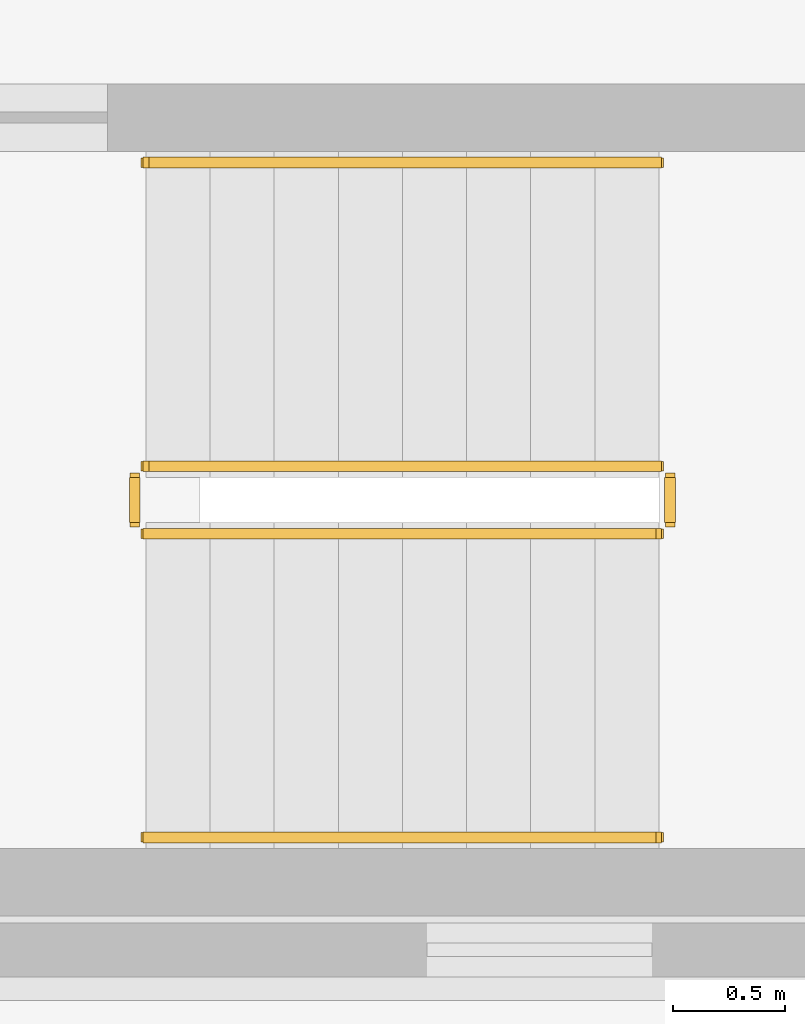
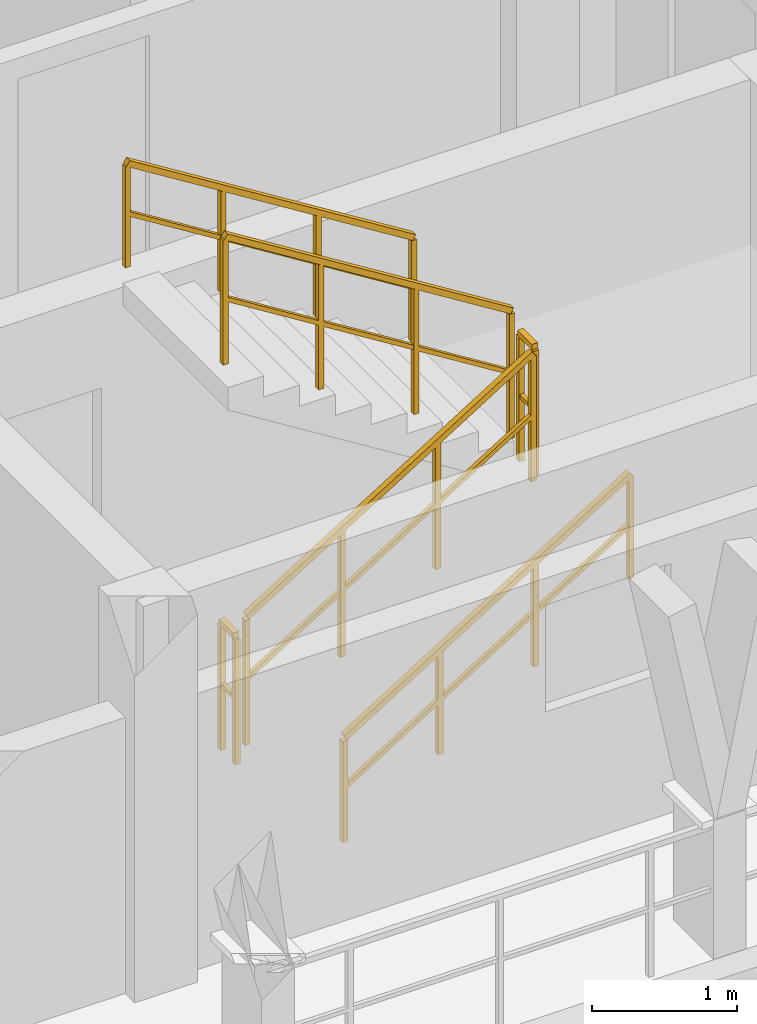
# One storey, part 40 of 45: 6 railings.
"""IFC4 building model written with IfcOpenShell, lengths in metres."""

import ifcopenshell
import ifcopenshell.guid

model = None  # the IFC model being written
_history = None  # IfcOwnerHistory: only IFC2X3 demands one
_inside = {}  # id of a spatial element -> (the spatial element, [elements in it])
_under = {}  # id of a project, library or spatial element -> (it, [spatial elements below it])
_declared = {}  # id of a project -> (the project, [libraries it declares])
_typed = {}  # id of a type object -> (the type object, [elements of that type])
_made_of = {}  # id of a material, layer set ... -> (it, [elements and type objects made of it])


def new_model(schema):
    """Start an empty IFC model of exactly this schema.

    Asked for "IFC4X3", IfcOpenShell would pick the latest addendum, in which some entities
    have other attributes; the version numbers below select the first issue.
    IFC2X3 requires an IfcOwnerHistory on every rooted entity: one is made here for all.
    """
    global model, _history
    if schema == "IFC4X3":
        model = ifcopenshell.file(schema_version=(4, 3, 0, 0))
    else:
        model = ifcopenshell.file(schema=schema)
    _inside.clear()
    _under.clear()
    _declared.clear()
    _typed.clear()
    _made_of.clear()
    _history = None
    if model.schema == "IFC2X3":
        org = make("IfcOrganization", Name="unknown")
        user = make(
            "IfcPersonAndOrganization",
            ThePerson=make("IfcPerson", FamilyName="unknown"),
            TheOrganization=org,
        )
        app = make(
            "IfcApplication",
            ApplicationDeveloper=org,
            Version="unknown",
            ApplicationFullName="unknown",
            ApplicationIdentifier="unknown",
        )
        _history = make(
            "IfcOwnerHistory",
            OwningUser=user,
            OwningApplication=app,
            ChangeAction="ADDED",
            CreationDate=0,
        )
    return model


def make(cls, **values):
    """One entity of the class cls with the attributes given. An attribute that is None is left unset."""
    return model.create_entity(
        cls, **{name: value for name, value in values.items() if value is not None}
    )


def rooted(cls, **values):
    """An entity with a GlobalId (a new one), such as an element, a storey or a relation."""
    return make(cls, GlobalId=ifcopenshell.guid.new(), OwnerHistory=_history, **values)


def si_unit(unit_type, name, prefix=None):
    """IfcSIUnit, for example si_unit("LENGTHUNIT", "METRE", prefix="MILLI")."""
    return make("IfcSIUnit", UnitType=unit_type, Prefix=prefix, Name=name)


def assignment(units):
    """IfcUnitAssignment: the units of a project."""
    return None if units is None else make("IfcUnitAssignment", Units=units)


def point(xyz):
    """IfcCartesianPoint."""
    return None if xyz is None else make("IfcCartesianPoint", Coordinates=xyz)


def direction(xyz):
    """IfcDirection."""
    return None if xyz is None else make("IfcDirection", DirectionRatios=xyz)


def frame(location, z_axis=None, x_axis=None):
    """IfcAxis2Placement3D, a coordinate frame: its origin and axes. An axis left out is left unset."""
    return make(
        "IfcAxis2Placement3D",
        Location=point(location),
        Axis=direction(z_axis),
        RefDirection=direction(x_axis),
    )


def frame_2d(location, x_axis=None):
    """IfcAxis2Placement2D, a coordinate frame in the plane: its origin and x axis."""
    return make(
        "IfcAxis2Placement2D", Location=point(location), RefDirection=direction(x_axis)
    )


def origin():
    """The frame at (0, 0, 0) with its axes left unset."""
    return frame((0.0, 0.0, 0.0))


def origin_2d():
    """The frame at (0, 0) in the plane with its x axis left unset."""
    return frame_2d((0.0, 0.0))


def place(relative_to, where):
    """IfcLocalPlacement: puts the frame where relative to a parent placement (None: the world)."""
    return make(
        "IfcLocalPlacement", PlacementRelTo=relative_to, RelativePlacement=where
    )


def context(
    kind, dimensions, precision=None, world=None, true_north=None, identifier=None
):
    """IfcGeometricRepresentationContext, for example the 3D "Model" context."""
    return make(
        "IfcGeometricRepresentationContext",
        ContextIdentifier=identifier,
        ContextType=kind,
        CoordinateSpaceDimension=dimensions,
        Precision=precision,
        WorldCoordinateSystem=world,
        TrueNorth=true_north,
    )


def subcontext(parent, identifier, kind, view, scale=None):
    """IfcGeometricRepresentationSubContext, for example "Body" below "Model"."""
    return make(
        "IfcGeometricRepresentationSubContext",
        ContextIdentifier=identifier,
        ContextType=kind,
        ParentContext=parent,
        TargetScale=scale,
        TargetView=view,
    )


def project(units=None, contexts=None):
    """IfcProject with its units and contexts."""
    return rooted(
        "IfcProject",
        Name="project",
        RepresentationContexts=contexts,
        UnitsInContext=assignment(units),
    )


def spatial(cls, under=None, at=None, **own):
    """A site, building, storey or space (cls), placed at a placement, below another one or the project."""
    s = rooted(cls, ObjectPlacement=at, **own)
    if under is not None:
        _under.setdefault(under.id(), (under, []))[1].append(s)
    return s


def profile(cls, at=None, kind="AREA", **sizes):
    """A parametric profile (cls). Its sizes go by their IFC names, for example OverallWidth=200.0."""
    return make(cls, ProfileType=kind, Position=at, **sizes)


def rectangle(**sizes):
    """IfcRectangleProfileDef."""
    return profile("IfcRectangleProfileDef", **sizes)


def extrude(swept, where, along, depth):
    """IfcExtrudedAreaSolid: the profile swept, set in the frame where, extruded along a direction by depth."""
    return make(
        "IfcExtrudedAreaSolid",
        SweptArea=swept,
        Position=where,
        ExtrudedDirection=direction(along),
        Depth=depth,
    )


def shape(context_of_items, identifier, shape_type, items):
    """IfcShapeRepresentation: the items that make up one representation, for example the "Body"."""
    return make(
        "IfcShapeRepresentation",
        ContextOfItems=context_of_items,
        RepresentationIdentifier=identifier,
        RepresentationType=shape_type,
        Items=items,
    )


def material(Name=None, Category=None):
    """IfcMaterial."""
    return make("IfcMaterial", Name=Name, Category=Category)


def made_of(thing, what):
    """Note that an element or type object is made of a material, layer set ...; save() writes the relation."""
    if what is not None:
        _made_of.setdefault(what.id(), (what, []))[1].append(thing)
    return thing


def type_object(cls, material=None, **own):
    """A type object (cls), such as IfcWallType, which elements share."""
    return made_of(rooted(cls, **own), material)


def element(
    cls,
    number,
    at=None,
    inside=None,
    cuts=None,
    type_object=None,
    material=None,
    context=None,
    identifier="Body",
    shape_type=None,
    held_by="IfcProductDefinitionShape",
    body=None,
    shapes=None,
    **own,
):
    """One element of the class cls, such as IfcWall. Its Tag is "e" and its number.

    at: its placement. inside: the storey or other place that contains it. cuts: it is an
    opening in that element (IfcRelVoidsElement). A single representation is given by context,
    identifier, shape_type and body (its items); several are given by shapes. held_by: the class
    of the entity that holds the representations. save() writes the other relations.
    """
    e = rooted(cls, Tag="e%d" % number, ObjectPlacement=at, **own)
    if body is not None:
        shapes = [shape(context, identifier, shape_type, body)]
    if shapes is not None:
        e.Representation = make(held_by, Representations=shapes)
    if inside is not None:
        _inside.setdefault(inside.id(), (inside, []))[1].append(e)
    if cuts is not None:
        rooted(
            "IfcRelVoidsElement", RelatingBuildingElement=cuts, RelatedOpeningElement=e
        )
    if type_object is not None:
        _typed.setdefault(type_object.id(), (type_object, []))[1].append(e)
    return made_of(e, material)


def aggregate(whole, parts):
    """IfcRelAggregates: a whole, such as a stair, and the parts it consists of."""
    return rooted("IfcRelAggregates", RelatingObject=whole, RelatedObjects=parts)


def save(model, path):
    """Write the relations noted so far, then the file.

    IfcRelAggregates (storeys below a building ...), IfcRelContainedInSpatialStructure (elements
    in a storey), IfcRelDefinesByType, IfcRelAssociatesMaterial and IfcRelDeclares: one each for
    every whole, place, type object, material and project.
    """
    for whole, parts in _under.values():
        aggregate(whole, parts)
    for where, things in _inside.values():
        rooted(
            "IfcRelContainedInSpatialStructure",
            RelatedElements=things,
            RelatingStructure=where,
        )
    for kind, things in _typed.values():
        rooted("IfcRelDefinesByType", RelatedObjects=things, RelatingType=kind)
    for what, things in _made_of.values():
        rooted("IfcRelAssociatesMaterial", RelatedObjects=things, RelatingMaterial=what)
    for by, libraries in _declared.values():
        rooted("IfcRelDeclares", RelatingContext=by, RelatedDefinitions=libraries)
    model.write(path)


model = new_model("IFC4")

# Units and contexts
model_context = context("Model", 3, precision=1e-05, world=origin(), true_north=direction((0.0, 1.0)))
body_context = subcontext(model_context, "Body", "Model", "MODEL_VIEW")
ifc_project = project(units=[si_unit("LENGTHUNIT", "METRE"), si_unit("AREAUNIT", "SQUARE_METRE"), si_unit("VOLUMEUNIT", "CUBIC_METRE"), si_unit("PLANEANGLEUNIT", "RADIAN"), si_unit("MASSUNIT", "GRAM", prefix="KILO")], contexts=[model_context])

# Site, building, storey
site_placement = place(None, origin())
site = spatial("IfcSite", under=ifc_project, at=site_placement, CompositionType="ELEMENT")
building_placement = place(site_placement, origin())
building = spatial("IfcBuilding", under=site, at=building_placement, Name="Suanplinth Sawtooth Commons", CompositionType="ELEMENT")
storey_placement = place(building_placement, frame((0.0, 0.0, 38.0)))
storey = spatial("IfcBuildingStorey", under=building, at=storey_placement, Name="L11", CompositionType="ELEMENT", Elevation=38.0)

# Railings
ifc_material = material(Name="Stainless steel Grade 304", Category="steel")
railing_type_1 = type_object("IfcRailingType", Name="GR-04", PredefinedType="GUARDRAIL", material=ifc_material)
railing_1_placement = place(storey_placement, frame((59.449951171875, 109.85009765625, 0.177734375)))
element("IfcRailing", 1, at=railing_1_placement, inside=storey, type_object=railing_type_1, Name="L11 ST-N2 Guard 1", PredefinedType="GUARDRAIL", context=body_context, shape_type="SweptSolid", body=[
    extrude(rectangle(XDim=0.048095703125, YDim=0.048095703125, at=origin_2d()), frame((0.0, 0.0, 1.076171875), z_axis=(0.848442045328, 0.0, 0.529288291689), x_axis=(0.0, 1.0, 0.0)), (0.0, 0.0, 1.0), 2.687255859375),
    extrude(rectangle(XDim=0.03369140625, YDim=0.03369140625, at=origin_2d()), frame((0.0, 0.0, 0.550048828125), z_axis=(0.848442045328, 0.0, 0.529288291689), x_axis=(0.0, 1.0, 0.0)), (0.0, 0.0, 1.0), 2.687255859375),
    extrude(rectangle(XDim=0.0419921875, YDim=0.0419921875, at=origin_2d()), origin(), (0.0, 0.0, 1.0), 1.052001953125),
    extrude(rectangle(XDim=0.0419921875, YDim=0.0419921875, at=origin_2d()), frame((0.760009765625, 0.0, 0.47412109375)), (0.0, 0.0, 1.0), 1.052001953125),
    extrude(rectangle(XDim=0.0419921875, YDim=0.0419921875, at=origin_2d()), frame((1.52001953125, 0.0, 0.9482421875)), (0.0, 0.0, 1.0), 1.052001953125),
    extrude(rectangle(XDim=0.0419921875, YDim=0.0419921875, at=origin_2d()), frame((2.280029296875, 0.0, 1.42236328125)), (0.0, 0.0, 1.0), 1.052001953125),
])
railing_2_placement = place(storey_placement, frame((61.780029296875, 109.89990234375, 1.60009765625)))
element("IfcRailing", 2, at=railing_2_placement, inside=storey, type_object=railing_type_1, Name="L11 ST-N2 Guard 2", PredefinedType="GUARDRAIL", context=body_context, shape_type="SweptSolid", body=[
    extrude(rectangle(XDim=0.048095703125, YDim=0.048095703125, at=origin_2d()), frame((0.0, 0.0, 1.076171875), z_axis=(0.0, 1.0, 0.0), x_axis=(-1.0, 0.0, 0.0)), (0.0, 0.0, 1.0), 0.2001953125),
    extrude(rectangle(XDim=0.03369140625, YDim=0.03369140625, at=origin_2d()), frame((0.0, 0.0, 0.550048828125), z_axis=(0.0, 1.0, 0.0), x_axis=(-1.0, 0.0, 0.0)), (0.0, 0.0, 1.0), 0.2001953125),
    extrude(rectangle(XDim=0.0419921875, YDim=0.0419921875, at=origin_2d()), origin(), (0.0, 0.0, 1.0), 1.052001953125),
    extrude(rectangle(XDim=0.0419921875, YDim=0.0419921875, at=origin_2d()), frame((0.0, 0.2001953125, 0.0)), (0.0, 0.0, 1.0), 1.052001953125),
])
railing_3_placement = place(storey_placement, frame((61.72998046875, 110.14990234375, 1.77783203125)))
element("IfcRailing", 3, at=railing_3_placement, inside=storey, type_object=railing_type_1, Name="L11 ST-N2 Guard 3", PredefinedType="GUARDRAIL", context=body_context, shape_type="SweptSolid", body=[
    extrude(rectangle(XDim=0.048095703125, YDim=0.048095703125, at=origin_2d()), frame((0.0, 0.0, 1.076171875), z_axis=(-0.848482842525, 0.0, 0.529222888715), x_axis=(0.0, -1.0, 0.0)), (0.0, 0.0, 1.0), 2.687255859375),
    extrude(rectangle(XDim=0.03369140625, YDim=0.03369140625, at=origin_2d()), frame((0.0, 0.0, 0.550048828125), z_axis=(-0.848482842525, 0.0, 0.529222888715), x_axis=(0.0, -1.0, 0.0)), (0.0, 0.0, 1.0), 2.687255859375),
    extrude(rectangle(XDim=0.0419921875, YDim=0.0419921875, at=origin_2d()), origin(), (0.0, 0.0, 1.0), 1.052001953125),
    extrude(rectangle(XDim=0.0419921875, YDim=0.0419921875, at=origin_2d()), frame((-0.760009765625, 0.0, 0.47412109375)), (0.0, 0.0, 1.0), 1.052001953125),
    extrude(rectangle(XDim=0.0419921875, YDim=0.0419921875, at=origin_2d()), frame((-1.52001953125, 0.0, 0.947998046875)), (0.0, 0.0, 1.0), 1.052001953125),
    extrude(rectangle(XDim=0.0419921875, YDim=0.0419921875, at=origin_2d()), frame((-2.280029296875, 0.0, 1.422119140625)), (0.0, 0.0, 1.0), 1.052001953125),
])
railing_4_placement = place(storey_placement, frame((59.39990234375, 109.89990234375, 0.0)))
element("IfcRailing", 4, at=railing_4_placement, inside=storey, type_object=railing_type_1, Name="L11 ST-N2 Guard 4", PredefinedType="GUARDRAIL", context=body_context, shape_type="SweptSolid", body=[
    extrude(rectangle(XDim=0.048095703125, YDim=0.048095703125, at=origin_2d()), frame((0.0, 0.0, 1.076171875), z_axis=(0.0, 1.0, 0.0), x_axis=(-1.0, 0.0, 0.0)), (0.0, 0.0, 1.0), 0.2001953125),
    extrude(rectangle(XDim=0.03369140625, YDim=0.03369140625, at=origin_2d()), frame((0.0, 0.0, 0.550048828125), z_axis=(0.0, 1.0, 0.0), x_axis=(-1.0, 0.0, 0.0)), (0.0, 0.0, 1.0), 0.2001953125),
    extrude(rectangle(XDim=0.0419921875, YDim=0.0419921875, at=origin_2d()), origin(), (0.0, 0.0, 1.0), 1.052001953125),
    extrude(rectangle(XDim=0.0419921875, YDim=0.0419921875, at=origin_2d()), frame((0.0, 0.2001953125, 0.0)), (0.0, 0.0, 1.0), 1.052001953125),
])
railing_type_2 = type_object("IfcRailingType", Name="HR-01", PredefinedType="HANDRAIL", material=ifc_material)
railing_5_placement = place(storey_placement, frame((59.449951171875, 108.5, 0.177734375)))
element("IfcRailing", 5, at=railing_5_placement, inside=storey, type_object=railing_type_2, Name="L11 ST-N2 Handrail 1", PredefinedType="HANDRAIL", context=body_context, shape_type="SweptSolid", body=[
    extrude(rectangle(XDim=0.048095703125, YDim=0.048095703125, at=origin_2d()), frame((0.0, 0.0, 0.8759765625), z_axis=(0.848442045328, 0.0, 0.529288291689), x_axis=(0.0, 1.0, 0.0)), (0.0, 0.0, 1.0), 2.687255859375),
    extrude(rectangle(XDim=0.03369140625, YDim=0.03369140625, at=origin_2d()), frame((0.0, 0.0, 0.449951171875), z_axis=(0.848442045328, 0.0, 0.529288291689), x_axis=(0.0, 1.0, 0.0)), (0.0, 0.0, 1.0), 2.687255859375),
    extrude(rectangle(XDim=0.0419921875, YDim=0.0419921875, at=origin_2d()), origin(), (0.0, 0.0, 1.0), 0.851806640625),
    extrude(rectangle(XDim=0.0419921875, YDim=0.0419921875, at=origin_2d()), frame((0.760009765625, 0.0, 0.47412109375)), (0.0, 0.0, 1.0), 0.851806640625),
    extrude(rectangle(XDim=0.0419921875, YDim=0.0419921875, at=origin_2d()), frame((1.52001953125, 0.0, 0.9482421875)), (0.0, 0.0, 1.0), 0.851806640625),
    extrude(rectangle(XDim=0.0419921875, YDim=0.0419921875, at=origin_2d()), frame((2.280029296875, 0.0, 1.42236328125)), (0.0, 0.0, 1.0), 0.851806640625),
])
railing_6_placement = place(storey_placement, frame((61.72998046875, 111.5, 1.77783203125)))
element("IfcRailing", 6, at=railing_6_placement, inside=storey, type_object=railing_type_2, Name="L11 ST-N2 Handrail 2", PredefinedType="HANDRAIL", context=body_context, shape_type="SweptSolid", body=[
    extrude(rectangle(XDim=0.048095703125, YDim=0.048095703125, at=origin_2d()), frame((0.0, 0.0, 0.8759765625), z_axis=(-0.848482842525, 0.0, 0.529222888715), x_axis=(0.0, -1.0, 0.0)), (0.0, 0.0, 1.0), 2.687255859375),
    extrude(rectangle(XDim=0.03369140625, YDim=0.03369140625, at=origin_2d()), frame((0.0, 0.0, 0.449951171875), z_axis=(-0.848482842525, 0.0, 0.529222888715), x_axis=(0.0, -1.0, 0.0)), (0.0, 0.0, 1.0), 2.687255859375),
    extrude(rectangle(XDim=0.0419921875, YDim=0.0419921875, at=origin_2d()), origin(), (0.0, 0.0, 1.0), 0.851806640625),
    extrude(rectangle(XDim=0.0419921875, YDim=0.0419921875, at=origin_2d()), frame((-0.760009765625, 0.0, 0.47412109375)), (0.0, 0.0, 1.0), 0.851806640625),
    extrude(rectangle(XDim=0.0419921875, YDim=0.0419921875, at=origin_2d()), frame((-1.52001953125, 0.0, 0.947998046875)), (0.0, 0.0, 1.0), 0.851806640625),
    extrude(rectangle(XDim=0.0419921875, YDim=0.0419921875, at=origin_2d()), frame((-2.280029296875, 0.0, 1.422119140625)), (0.0, 0.0, 1.0), 0.851806640625),
])

save(model, "model.ifc")
